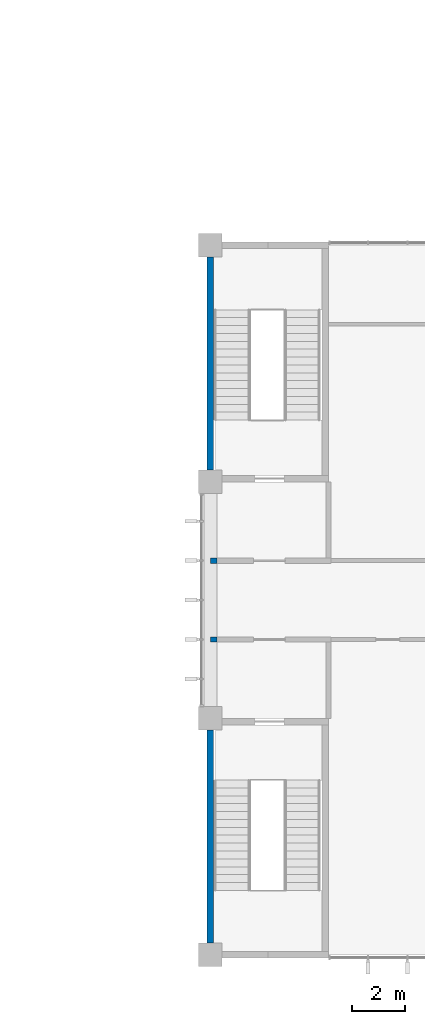
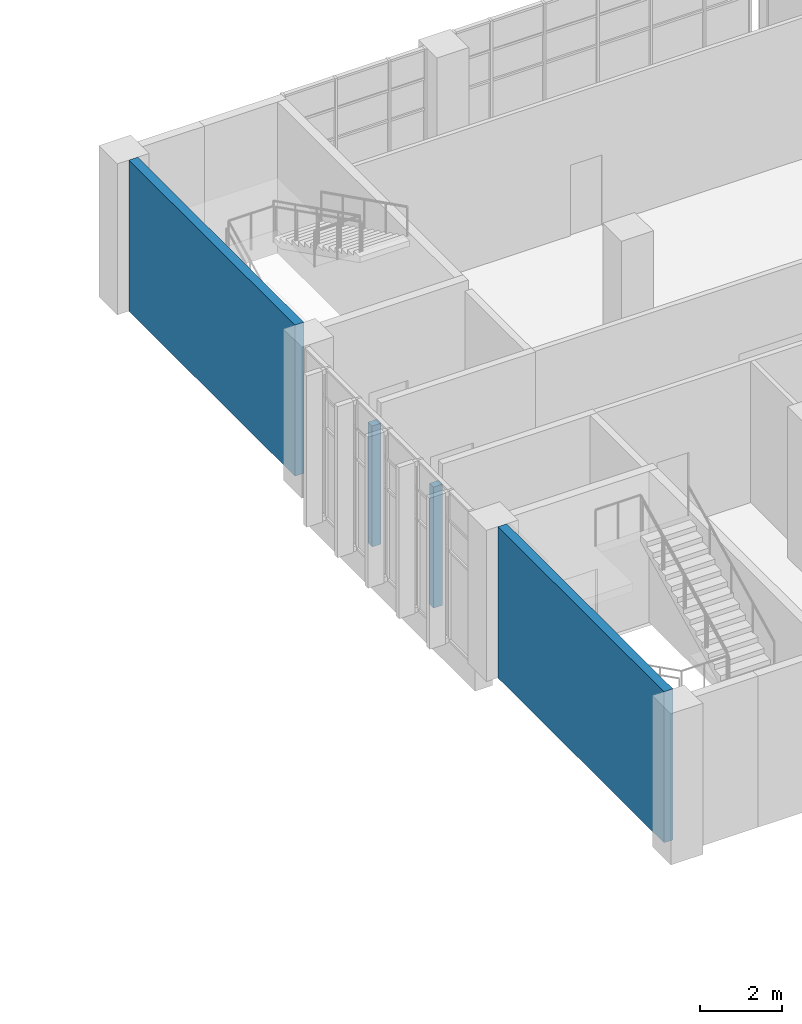
# One storey, part 27 of 45: 4 walls.
"""IFC4 building model written with IfcOpenShell, lengths in metres."""

from ifc_helpers import new_model, si_unit, direction, frame, frame_2d, origin, place, context, subcontext, project, spatial, rectangle, extrude, material, layer, layer_set, type_object, element, save


model = new_model("IFC4")

# Units and contexts
model_context = context("Model", 3, precision=1e-05, world=origin(), true_north=direction((0.0, 1.0)))
body_context = subcontext(model_context, "Body", "Model", "MODEL_VIEW")
ifc_project = project(units=[si_unit("LENGTHUNIT", "METRE"), si_unit("AREAUNIT", "SQUARE_METRE"), si_unit("VOLUMEUNIT", "CUBIC_METRE"), si_unit("PLANEANGLEUNIT", "RADIAN"), si_unit("MASSUNIT", "GRAM", prefix="KILO")], contexts=[model_context])

# Site, building, storey
site_placement = place(None, origin())
site = spatial("IfcSite", under=ifc_project, at=site_placement, CompositionType="ELEMENT")
building_placement = place(site_placement, origin())
building = spatial("IfcBuilding", under=site, at=building_placement, Name="Guidao Yard Department Store", CompositionType="ELEMENT")
storey_placement = place(building_placement, frame((0.0, 0.0, 19.5)))
storey = spatial("IfcBuildingStorey", under=building, at=storey_placement, Name="L04", CompositionType="ELEMENT", Elevation=19.5)

# Walls
ifc_material_1 = material(Name="Autoclaved aerated concrete block A3.5 B06", Category="concrete")
ifc_layer_1 = layer(ifc_material_1, 0.199951171875)
ifc_layer_set_1 = layer_set([ifc_layer_1], Name="Shaft Wall 200 Autoclaved Block EI 120")
wall_type_1 = type_object("IfcWallType", Name="Shaft Wall 200 Autoclaved Block EI 120", PredefinedType="PARTITIONING", material=ifc_layer_set_1)
for number, where, z_axis, x_axis, name in (
    (1, (126.0, 12.0, 0.0), (0.0, 0.0, 1.0), (1.0, 0.0, 0.0), "pt.wall.L04.0005"),
    (2, (126.0, 15.0, 0.0), (0.0, 0.0, 1.0), (1.0, 0.0, 0.0), "pt.wall.L04.0009"),
):
    element("IfcWall", number, at=place(storey_placement, frame(where, z_axis=z_axis, x_axis=x_axis)), inside=storey, type_object=wall_type_1, Name=name, PredefinedType="PARTITIONING", context=body_context, shape_type="SweptSolid", body=[
        extrude(rectangle(XDim=0.25, YDim=0.199951171875, at=frame_2d((0.125, 0.0))), origin(), (0.0, 0.0, 1.0), 3.60009765625),
    ])
ifc_material_2 = material(Name="Concrete C40", Category="concrete")
ifc_layer_2 = layer(ifc_material_2, 0.25)
ifc_layer_set_2 = layer_set([ifc_layer_2], Name="Wall RC 250 C40 stair and shaft")
wall_type_2 = type_object("IfcWallType", Name="Wall RC 250 C40 stair and shaft", PredefinedType="SHEAR", material=ifc_layer_set_2)
for number, where, z_axis, x_axis, name in (
    (3, (126.0, 0.449951171875, 0.0), (0.0, 0.0, 1.0), (0.0, 1.0, 0.0), "Stair wall SO1"),
    (4, (126.0, 18.449951171875, 0.0), (0.0, 0.0, 1.0), (0.0, 1.0, 0.0), "Stair wall SO3"),
):
    element("IfcWall", number, at=place(storey_placement, frame(where, z_axis=z_axis, x_axis=x_axis)), inside=storey, type_object=wall_type_2, Name=name, PredefinedType="SHEAR", context=body_context, shape_type="SweptSolid", body=[
        extrude(rectangle(XDim=8.10009765625, YDim=0.25, at=frame_2d((4.050048828125, 0.0))), origin(), (0.0, 0.0, 1.0), 4.5),
    ])

save(model, "model.ifc")
